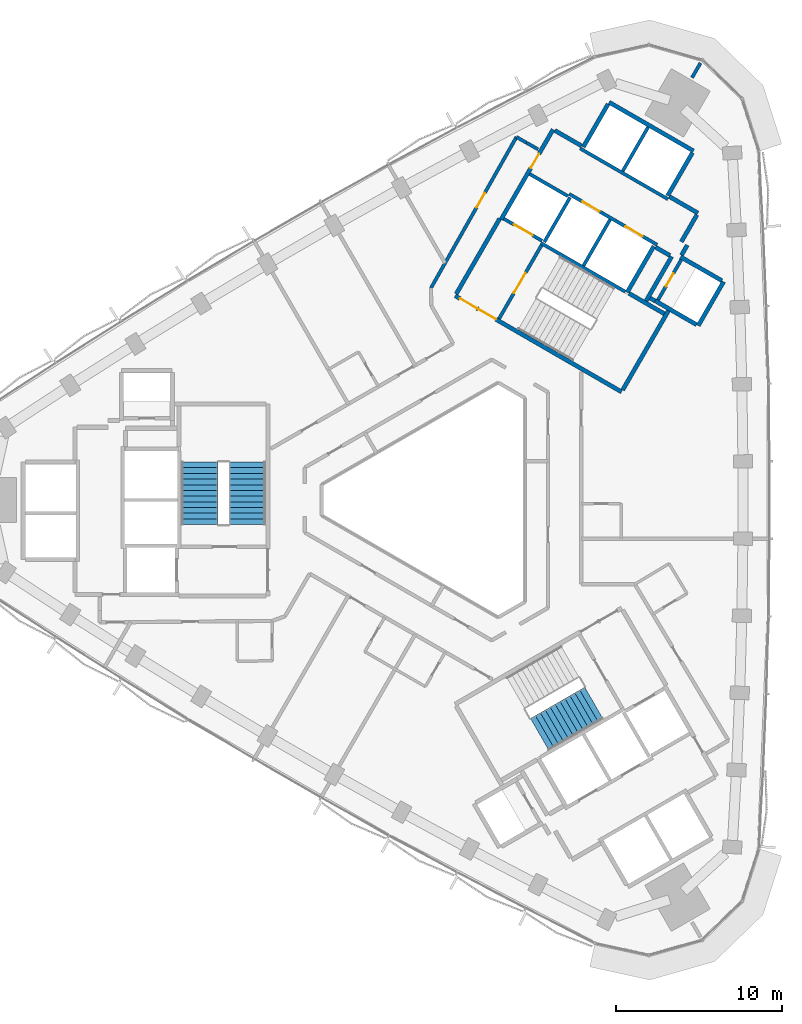
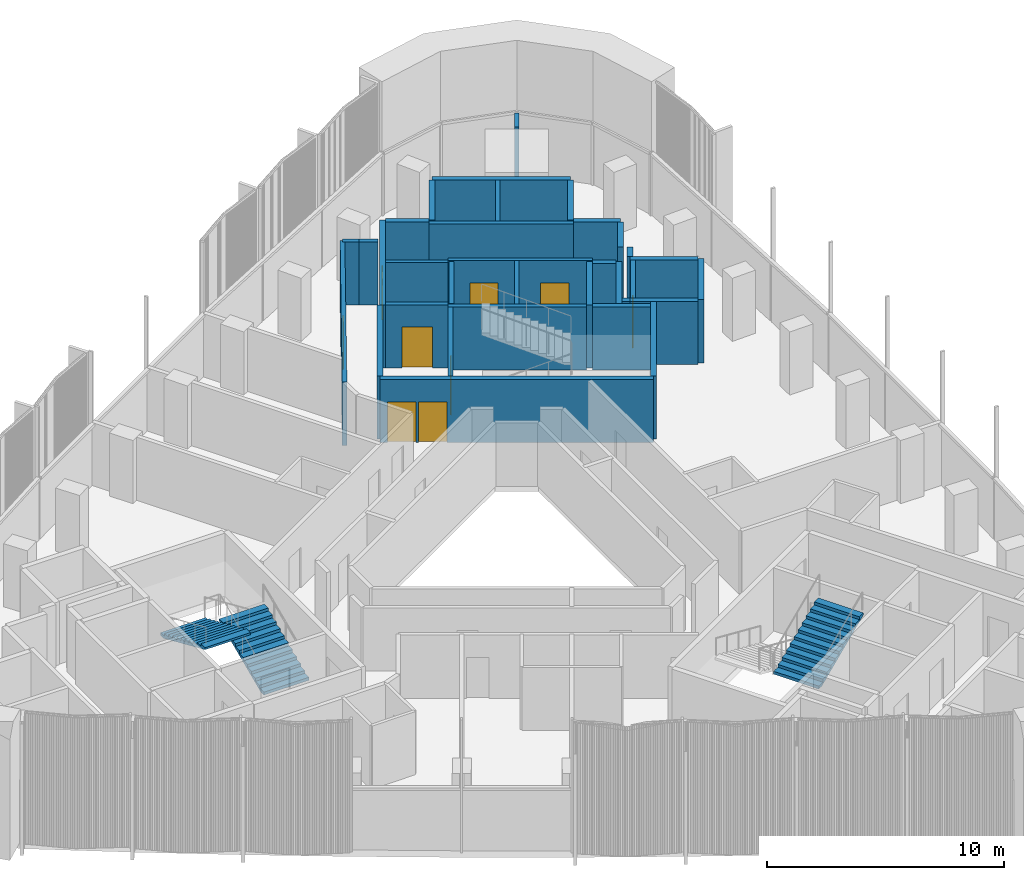
# One storey, part 10 of 14: 33 walls, 9 doors, 3 stair flights, 9 openings, 2 elements without a shape of their own.
"""IFC4 building model written with IfcOpenShell, lengths in metres."""

import ifcopenshell
import ifcopenshell.guid

model = None  # the IFC model being written
_history = None  # IfcOwnerHistory: only IFC2X3 demands one
_inside = {}  # id of a spatial element -> (the spatial element, [elements in it])
_under = {}  # id of a project, library or spatial element -> (it, [spatial elements below it])
_declared = {}  # id of a project -> (the project, [libraries it declares])
_typed = {}  # id of a type object -> (the type object, [elements of that type])
_made_of = {}  # id of a material, layer set ... -> (it, [elements and type objects made of it])


def new_model(schema):
    """Start an empty IFC model of exactly this schema.

    Asked for "IFC4X3", IfcOpenShell would pick the latest addendum, in which some entities
    have other attributes; the version numbers below select the first issue.
    IFC2X3 requires an IfcOwnerHistory on every rooted entity: one is made here for all.
    """
    global model, _history
    if schema == "IFC4X3":
        model = ifcopenshell.file(schema_version=(4, 3, 0, 0))
    else:
        model = ifcopenshell.file(schema=schema)
    _inside.clear()
    _under.clear()
    _declared.clear()
    _typed.clear()
    _made_of.clear()
    _history = None
    if model.schema == "IFC2X3":
        org = make("IfcOrganization", Name="unknown")
        user = make(
            "IfcPersonAndOrganization",
            ThePerson=make("IfcPerson", FamilyName="unknown"),
            TheOrganization=org,
        )
        app = make(
            "IfcApplication",
            ApplicationDeveloper=org,
            Version="unknown",
            ApplicationFullName="unknown",
            ApplicationIdentifier="unknown",
        )
        _history = make(
            "IfcOwnerHistory",
            OwningUser=user,
            OwningApplication=app,
            ChangeAction="ADDED",
            CreationDate=0,
        )
    return model


def make(cls, **values):
    """One entity of the class cls with the attributes given. An attribute that is None is left unset."""
    return model.create_entity(
        cls, **{name: value for name, value in values.items() if value is not None}
    )


def rooted(cls, **values):
    """An entity with a GlobalId (a new one), such as an element, a storey or a relation."""
    return make(cls, GlobalId=ifcopenshell.guid.new(), OwnerHistory=_history, **values)


def si_unit(unit_type, name, prefix=None):
    """IfcSIUnit, for example si_unit("LENGTHUNIT", "METRE", prefix="MILLI")."""
    return make("IfcSIUnit", UnitType=unit_type, Prefix=prefix, Name=name)


def assignment(units):
    """IfcUnitAssignment: the units of a project."""
    return None if units is None else make("IfcUnitAssignment", Units=units)


def point(xyz):
    """IfcCartesianPoint."""
    return None if xyz is None else make("IfcCartesianPoint", Coordinates=xyz)


def direction(xyz):
    """IfcDirection."""
    return None if xyz is None else make("IfcDirection", DirectionRatios=xyz)


def frame(location, z_axis=None, x_axis=None):
    """IfcAxis2Placement3D, a coordinate frame: its origin and axes. An axis left out is left unset."""
    return make(
        "IfcAxis2Placement3D",
        Location=point(location),
        Axis=direction(z_axis),
        RefDirection=direction(x_axis),
    )


def frame_2d(location, x_axis=None):
    """IfcAxis2Placement2D, a coordinate frame in the plane: its origin and x axis."""
    return make(
        "IfcAxis2Placement2D", Location=point(location), RefDirection=direction(x_axis)
    )


def origin():
    """The frame at (0, 0, 0) with its axes left unset."""
    return frame((0.0, 0.0, 0.0))


def place(relative_to, where):
    """IfcLocalPlacement: puts the frame where relative to a parent placement (None: the world)."""
    return make(
        "IfcLocalPlacement", PlacementRelTo=relative_to, RelativePlacement=where
    )


def context(
    kind, dimensions, precision=None, world=None, true_north=None, identifier=None
):
    """IfcGeometricRepresentationContext, for example the 3D "Model" context."""
    return make(
        "IfcGeometricRepresentationContext",
        ContextIdentifier=identifier,
        ContextType=kind,
        CoordinateSpaceDimension=dimensions,
        Precision=precision,
        WorldCoordinateSystem=world,
        TrueNorth=true_north,
    )


def subcontext(parent, identifier, kind, view, scale=None):
    """IfcGeometricRepresentationSubContext, for example "Body" below "Model"."""
    return make(
        "IfcGeometricRepresentationSubContext",
        ContextIdentifier=identifier,
        ContextType=kind,
        ParentContext=parent,
        TargetScale=scale,
        TargetView=view,
    )


def project(units=None, contexts=None):
    """IfcProject with its units and contexts."""
    return rooted(
        "IfcProject",
        Name="project",
        RepresentationContexts=contexts,
        UnitsInContext=assignment(units),
    )


def spatial(cls, under=None, at=None, **own):
    """A site, building, storey or space (cls), placed at a placement, below another one or the project."""
    s = rooted(cls, ObjectPlacement=at, **own)
    if under is not None:
        _under.setdefault(under.id(), (under, []))[1].append(s)
    return s


def polyline(points):
    """IfcPolyline through the points."""
    return make("IfcPolyline", Points=[point(p) for p in points])


def profile(cls, at=None, kind="AREA", **sizes):
    """A parametric profile (cls). Its sizes go by their IFC names, for example OverallWidth=200.0."""
    return make(cls, ProfileType=kind, Position=at, **sizes)


def rectangle(**sizes):
    """IfcRectangleProfileDef."""
    return profile("IfcRectangleProfileDef", **sizes)


def outline(outer, holes=None, kind="AREA"):
    """IfcArbitraryClosedProfileDef: a profile drawn as a closed curve; with holes, ...WithVoids."""
    if holes is None:
        return make("IfcArbitraryClosedProfileDef", ProfileType=kind, OuterCurve=outer)
    return make(
        "IfcArbitraryProfileDefWithVoids",
        ProfileType=kind,
        OuterCurve=outer,
        InnerCurves=holes,
    )


def extrude(swept, where, along, depth):
    """IfcExtrudedAreaSolid: the profile swept, set in the frame where, extruded along a direction by depth."""
    return make(
        "IfcExtrudedAreaSolid",
        SweptArea=swept,
        Position=where,
        ExtrudedDirection=direction(along),
        Depth=depth,
    )


def shape(context_of_items, identifier, shape_type, items):
    """IfcShapeRepresentation: the items that make up one representation, for example the "Body"."""
    return make(
        "IfcShapeRepresentation",
        ContextOfItems=context_of_items,
        RepresentationIdentifier=identifier,
        RepresentationType=shape_type,
        Items=items,
    )


def material(Name=None, Category=None):
    """IfcMaterial."""
    return make("IfcMaterial", Name=Name, Category=Category)


def layer(
    of_material, thickness, ventilated=None, Name=None, Category=None, Priority=None
):
    """IfcMaterialLayer: one layer of a wall or slab, of a material (None: an air gap)."""
    return make(
        "IfcMaterialLayer",
        Material=of_material,
        LayerThickness=thickness,
        IsVentilated=ventilated,
        Name=Name,
        Category=Category,
        Priority=Priority,
    )


def layer_set(layers, Name=None):
    """IfcMaterialLayerSet."""
    return make("IfcMaterialLayerSet", MaterialLayers=layers, LayerSetName=Name)


def made_of(thing, what):
    """Note that an element or type object is made of a material, layer set ...; save() writes the relation."""
    if what is not None:
        _made_of.setdefault(what.id(), (what, []))[1].append(thing)
    return thing


def type_object(cls, material=None, **own):
    """A type object (cls), such as IfcWallType, which elements share."""
    return made_of(rooted(cls, **own), material)


def element(
    cls,
    number,
    at=None,
    inside=None,
    cuts=None,
    type_object=None,
    material=None,
    context=None,
    identifier="Body",
    shape_type=None,
    held_by="IfcProductDefinitionShape",
    body=None,
    shapes=None,
    **own,
):
    """One element of the class cls, such as IfcWall. Its Tag is "e" and its number.

    at: its placement. inside: the storey or other place that contains it. cuts: it is an
    opening in that element (IfcRelVoidsElement). A single representation is given by context,
    identifier, shape_type and body (its items); several are given by shapes. held_by: the class
    of the entity that holds the representations. save() writes the other relations.
    """
    e = rooted(cls, Tag="e%d" % number, ObjectPlacement=at, **own)
    if body is not None:
        shapes = [shape(context, identifier, shape_type, body)]
    if shapes is not None:
        e.Representation = make(held_by, Representations=shapes)
    if inside is not None:
        _inside.setdefault(inside.id(), (inside, []))[1].append(e)
    if cuts is not None:
        rooted(
            "IfcRelVoidsElement", RelatingBuildingElement=cuts, RelatedOpeningElement=e
        )
    if type_object is not None:
        _typed.setdefault(type_object.id(), (type_object, []))[1].append(e)
    return made_of(e, material)


def fill(opening, filler):
    """IfcRelFillsElement: the door or window that sits in an opening."""
    return rooted(
        "IfcRelFillsElement",
        RelatingOpeningElement=opening,
        RelatedBuildingElement=filler,
    )


def aggregate(whole, parts):
    """IfcRelAggregates: a whole, such as a stair, and the parts it consists of."""
    return rooted("IfcRelAggregates", RelatingObject=whole, RelatedObjects=parts)


def save(model, path):
    """Write the relations noted so far, then the file.

    IfcRelAggregates (storeys below a building ...), IfcRelContainedInSpatialStructure (elements
    in a storey), IfcRelDefinesByType, IfcRelAssociatesMaterial and IfcRelDeclares: one each for
    every whole, place, type object, material and project.
    """
    for whole, parts in _under.values():
        aggregate(whole, parts)
    for where, things in _inside.values():
        rooted(
            "IfcRelContainedInSpatialStructure",
            RelatedElements=things,
            RelatingStructure=where,
        )
    for kind, things in _typed.values():
        rooted("IfcRelDefinesByType", RelatedObjects=things, RelatingType=kind)
    for what, things in _made_of.values():
        rooted("IfcRelAssociatesMaterial", RelatedObjects=things, RelatingMaterial=what)
    for by, libraries in _declared.values():
        rooted("IfcRelDeclares", RelatingContext=by, RelatedDefinitions=libraries)
    model.write(path)


model = new_model("IFC4")

# Units and contexts
model_context = context("Model", 3, precision=1e-05, world=origin(), true_north=direction((0.0, 1.0)))
body_context = subcontext(model_context, "Body", "Model", "MODEL_VIEW")
ifc_project = project(units=[si_unit("LENGTHUNIT", "METRE"), si_unit("AREAUNIT", "SQUARE_METRE"), si_unit("VOLUMEUNIT", "CUBIC_METRE"), si_unit("PLANEANGLEUNIT", "RADIAN"), si_unit("MASSUNIT", "GRAM", prefix="KILO")], contexts=[model_context])

# Site, building, storey
site_placement = place(None, origin())
site = spatial("IfcSite", under=ifc_project, at=site_placement, CompositionType="ELEMENT")
building_placement = place(site_placement, origin())
building = spatial("IfcBuilding", under=site, at=building_placement, Name="Tamra Quay Hotel Tower", CompositionType="ELEMENT")
storey_placement = place(building_placement, frame((0.0, 0.0, 175.60009765625)))
storey = spatial("IfcBuildingStorey", under=building, at=storey_placement, Name="L43", CompositionType="ELEMENT", Elevation=175.60009765625)

# Wall
ifc_material_1 = material(Name="Concrete M70", Category="concrete")
ifc_layer_1 = layer(ifc_material_1, 0.199951171875)
ifc_layer_set_1 = layer_set([ifc_layer_1], Name="Concrete M70 core wall 200")
wall_type_1 = type_object("IfcWallType", Name="Concrete M70 core wall 200", PredefinedType="SHEAR", material=ifc_layer_set_1)
wall_1_placement = place(storey_placement, frame((13.209716796875, 18.07958984375, 0.0), z_axis=(0.0, 0.0, 1.0), x_axis=(-0.866030299012, 0.499991521122, 0.0)))
element("IfcWall", 1, at=wall_1_placement, inside=storey, type_object=wall_type_1, Name="CW2", PredefinedType="SHEAR", context=body_context, shape_type="SweptSolid", body=[
    extrude(rectangle(XDim=6.10009765625, YDim=0.199951171875, at=frame_2d((3.050048828125, 0.0))), origin(), (0.0, 0.0, 1.0), 3.25),
])

# Wall, openings, doors
wall_2_placement = place(storey_placement, frame((12.552490234375, 15.341552734375, 0.0), z_axis=(0.0, 0.0, 1.0), x_axis=(-0.866030299012, 0.499991521122, 0.0)))
wall_2 = element("IfcWall", 2, at=wall_2_placement, inside=storey, type_object=wall_type_1, Name="CW2", PredefinedType="SHEAR", context=body_context, shape_type="SweptSolid", body=[
    extrude(rectangle(XDim=6.10009765625, YDim=0.199951171875, at=frame_2d((3.050048828125, 0.0))), origin(), (0.0, 0.0, 1.0), 3.25),
])
opening_1_placement = place(wall_2_placement, frame((1.0, 0.0, 0.0)))
opening_1 = element("IfcOpeningElement", 3, at=opening_1_placement, cuts=wall_2, Name="Opening LD", PredefinedType="OPENING", context=body_context, shape_type="SweptSolid", body=[
    extrude(rectangle(XDim=1.199951171875, YDim=2.10009765625, at=frame_2d((0.60009765625, 1.050048828125))), frame((0.0, 0.10986328125, 0.0), z_axis=(0.0, -1.0, 0.0), x_axis=(1.0, 0.0, 0.0)), (0.0, 0.0, 1.0), 0.219970703125),
])
opening_2_placement = place(wall_2_placement, frame((3.982177734375, 0.0, 0.0)))
opening_2 = element("IfcOpeningElement", 4, at=opening_2_placement, cuts=wall_2, Name="Opening LD", PredefinedType="OPENING", context=body_context, shape_type="SweptSolid", body=[
    extrude(rectangle(XDim=1.199951171875, YDim=2.10009765625, at=frame_2d((0.60009765625, 1.050048828125))), frame((0.0, 0.10986328125, 0.0), z_axis=(0.0, -1.0, 0.0), x_axis=(1.0, 0.0, 0.0)), (0.0, 0.0, 1.0), 0.219970703125),
])
ifc_material_2 = material(Name="Landing door LD 1200 double door sliding")
door_type_1 = type_object("IfcDoorType", Name="Landing door LD 1200 double door sliding", OperationType="DOUBLE_DOOR_SLIDING", PredefinedType="DOOR", material=ifc_material_2)
door_1_placement = place(opening_1_placement, origin())
door_1 = element("IfcDoor", 5, at=door_1_placement, inside=storey, type_object=door_type_1, Name="LD", OperationType="DOUBLE_DOOR_SLIDING", OverallHeight=2.10009765625, OverallWidth=1.199951171875, PredefinedType="DOOR", context=body_context, shape_type="SweptSolid", body=[
    extrude(rectangle(XDim=1.199951171875, YDim=2.10009765625, at=frame_2d((0.60009765625, 1.050048828125))), frame((0.0, 0.02490234375, 0.0), z_axis=(0.0, -1.0, 0.0), x_axis=(1.0, 0.0, 0.0)), (0.0, 0.0, 1.0), 0.050048828125),
])
fill(opening_1, door_1)
door_2_placement = place(opening_2_placement, origin())
door_2 = element("IfcDoor", 6, at=door_2_placement, inside=storey, type_object=door_type_1, Name="LD", OperationType="DOUBLE_DOOR_SLIDING", OverallHeight=2.10009765625, OverallWidth=1.199951171875, PredefinedType="DOOR", context=body_context, shape_type="SweptSolid", body=[
    extrude(rectangle(XDim=1.199951171875, YDim=2.10009765625, at=frame_2d((0.60009765625, 1.050048828125))), frame((0.0, 0.02490234375, 0.0), z_axis=(0.0, -1.0, 0.0), x_axis=(1.0, 0.0, 0.0)), (0.0, 0.0, 1.0), 0.050048828125),
])
fill(opening_2, door_2)

# Wall
wall_3_placement = place(storey_placement, frame((10.636474609375, 12.521484375, 0.0), z_axis=(0.0, 0.0, 1.0), x_axis=(-0.866013252188, 0.500021046592, 0.0)))
element("IfcWall", 7, at=wall_3_placement, inside=storey, type_object=wall_type_1, Name="CW2", PredefinedType="SHEAR", context=body_context, shape_type="SweptSolid", body=[
    extrude(rectangle(XDim=5.850830078125, YDim=0.199951171875, at=frame_2d((2.92529296875, 0.0))), origin(), (0.0, 0.0, 1.0), 3.25),
])

# Wall, opening, door
wall_4_placement = place(storey_placement, frame((3.056640625, 10.89453125, 0.0), z_axis=(0.0, 0.0, 1.0), x_axis=(0.500027839223, 0.866009330205, 0.0)))
wall_4 = element("IfcWall", 8, at=wall_4_placement, inside=storey, type_object=wall_type_1, Name="CW2", PredefinedType="SHEAR", context=body_context, shape_type="SweptSolid", body=[
    extrude(rectangle(XDim=5.097900390625, YDim=0.199951171875, at=frame_2d((2.548828125, 0.0))), origin(), (0.0, 0.0, 1.0), 3.25),
])
opening_3_placement = place(wall_4_placement, frame((1.77392578125, 0.0, 0.0)))
opening_3 = element("IfcOpeningElement", 9, at=opening_3_placement, cuts=wall_4, Name="Opening FD2", PredefinedType="OPENING", context=body_context, shape_type="SweptSolid", body=[
    extrude(rectangle(XDim=1.39990234375, YDim=2.10009765625, at=frame_2d((0.699951171875, 1.050048828125))), frame((0.0, 0.10986328125, 0.0), z_axis=(0.0, -1.0, 0.0), x_axis=(1.0, 0.0, 0.0)), (0.0, 0.0, 1.0), 0.219970703125),
])
ifc_material_3 = material(Name="Core door FD2 1400x2100 RH")
door_type_2 = type_object("IfcDoorType", Name="Core door FD2 1400x2100 RH", OperationType="NOTDEFINED", PredefinedType="DOOR", material=ifc_material_3)
door_3_placement = place(opening_3_placement, origin())
door_3 = element("IfcDoor", 10, at=door_3_placement, inside=storey, type_object=door_type_2, Name="FD2", OperationType="SINGLE_SWING_RIGHT", OverallHeight=2.10009765625, OverallWidth=1.39990234375, PredefinedType="DOOR", context=body_context, shape_type="SweptSolid", body=[
    extrude(rectangle(XDim=1.39990234375, YDim=2.10009765625, at=frame_2d((0.699951171875, 1.050048828125))), frame((0.0, 0.02490234375, 0.0), z_axis=(0.0, -1.0, 0.0), x_axis=(1.0, 0.0, 0.0)), (0.0, 0.0, 1.0), 0.050048828125),
])
fill(opening_3, door_3)

# Walls
wall_5_placement = place(storey_placement, frame((8.131591796875, 14.08447265625, 0.0), z_axis=(0.0, 0.0, 1.0), x_axis=(0.500030834389, 0.86600760081, 0.0)))
element("IfcWall", 11, at=wall_5_placement, inside=storey, type_object=wall_type_1, Name="CW2", PredefinedType="SHEAR", context=body_context, shape_type="SweptSolid", body=[
    extrude(rectangle(XDim=3.197998046875, YDim=0.199951171875, at=frame_2d((1.59912109375, 0.0))), origin(), (0.0, 0.0, 1.0), 3.25),
])
wall_6_placement = place(storey_placement, frame((10.48876953125, 19.76708984375, 0.0), z_axis=(0.0, 0.0, 1.0), x_axis=(0.499946628782, 0.866056215479, 0.0)))
element("IfcWall", 12, at=wall_6_placement, inside=storey, type_object=wall_type_1, Name="CW2", PredefinedType="SHEAR", context=body_context, shape_type="SweptSolid", body=[
    extrude(rectangle(XDim=3.048095703125, YDim=0.199951171875, at=frame_2d((1.52392578125, 0.0))), origin(), (0.0, 0.0, 1.0), 3.25),
])

# Wall, opening, door
wall_7_placement = place(storey_placement, frame((14.0078125, 14.442138671875, 0.0), z_axis=(0.0, 0.0, 1.0), x_axis=(-0.499986818241, -0.866033014143, 0.0)))
wall_7 = element("IfcWall", 13, at=wall_7_placement, inside=storey, type_object=wall_type_1, Name="CW2", PredefinedType="SHEAR", context=body_context, shape_type="SweptSolid", body=[
    extrude(rectangle(XDim=2.7978515625, YDim=0.199951171875, at=frame_2d((1.39892578125, 0.0))), origin(), (0.0, 0.0, 1.0), 3.25),
])
opening_4_placement = place(wall_7_placement, frame((0.948974609375, 0.0, 0.0)))
opening_4 = element("IfcOpeningElement", 14, at=opening_4_placement, cuts=wall_7, Name="Opening D1", PredefinedType="OPENING", context=body_context, shape_type="SweptSolid", body=[
    extrude(rectangle(XDim=0.89990234375, YDim=2.10009765625, at=frame_2d((0.449951171875, 1.050048828125))), frame((0.0, 0.10986328125, 0.0), z_axis=(0.0, -1.0, 0.0), x_axis=(1.0, 0.0, 0.0)), (0.0, 0.0, 1.0), 0.219970703125),
])
ifc_material_4 = material(Name="Core door D1 900x2100 LH")
door_type_3 = type_object("IfcDoorType", Name="Core door D1 900x2100 LH", OperationType="NOTDEFINED", PredefinedType="DOOR", material=ifc_material_4)
door_4_placement = place(opening_4_placement, origin())
door_4 = element("IfcDoor", 15, at=door_4_placement, inside=storey, type_object=door_type_3, Name="D1", OperationType="SINGLE_SWING_LEFT", OverallHeight=2.10009765625, OverallWidth=0.89990234375, PredefinedType="DOOR", context=body_context, shape_type="SweptSolid", body=[
    extrude(rectangle(XDim=0.89990234375, YDim=2.10009765625, at=frame_2d((0.449951171875, 1.050048828125))), frame((0.0, 0.02490234375, 0.0), z_axis=(0.0, -1.0, 0.0), x_axis=(1.0, 0.0, 0.0)), (0.0, 0.0, 1.0), 0.050048828125),
])
fill(opening_4, door_4)

# Wall
wall_8_placement = place(storey_placement, frame((7.324462890625, 18.1865234375, 0.0), z_axis=(0.0, 0.0, 1.0), x_axis=(-0.499967891604, -0.866043940782, 0.0)))
element("IfcWall", 16, at=wall_8_placement, inside=storey, type_object=wall_type_1, Name="CW2", PredefinedType="SHEAR", context=body_context, shape_type="SweptSolid", body=[
    extrude(rectangle(XDim=3.099853515625, YDim=0.199951171875, at=frame_2d((1.5498046875, 0.0))), origin(), (0.0, 0.0, 1.0), 3.25),
])

# Wall, opening, door
wall_9_placement = place(storey_placement, frame((5.646240234375, 15.575927734375, 0.0), z_axis=(0.0, 0.0, 1.0), x_axis=(-0.866018407898, 0.500012117035, 0.0)))
wall_9 = element("IfcWall", 17, at=wall_9_placement, inside=storey, type_object=wall_type_1, Name="CW2", PredefinedType="SHEAR", context=body_context, shape_type="SweptSolid", body=[
    extrude(rectangle(XDim=2.65087890625, YDim=0.199951171875, at=frame_2d((1.325439453125, 0.0))), origin(), (0.0, 0.0, 1.0), 3.25),
])
opening_5_placement = place(wall_9_placement, frame((0.65185546875, 0.0, 0.0)))
opening_5 = element("IfcOpeningElement", 18, at=opening_5_placement, cuts=wall_9, Name="Opening LD", PredefinedType="OPENING", context=body_context, shape_type="SweptSolid", body=[
    extrude(rectangle(XDim=1.300048828125, YDim=2.10009765625, at=frame_2d((0.64990234375, 1.050048828125))), frame((0.0, 0.10986328125, 0.0), z_axis=(0.0, -1.0, 0.0), x_axis=(1.0, 0.0, 0.0)), (0.0, 0.0, 1.0), 0.219970703125),
])
ifc_material_5 = material(Name="Landing door LD 1300 sliding to right")
door_type_4 = type_object("IfcDoorType", Name="Landing door LD 1300 sliding to right", OperationType="NOTDEFINED", PredefinedType="DOOR", material=ifc_material_5)
door_5_placement = place(opening_5_placement, origin())
door_5 = element("IfcDoor", 19, at=door_5_placement, inside=storey, type_object=door_type_4, Name="LD", OperationType="SLIDING_TO_RIGHT", OverallHeight=2.10009765625, OverallWidth=1.300048828125, PredefinedType="DOOR", context=body_context, shape_type="SweptSolid", body=[
    extrude(rectangle(XDim=1.300048828125, YDim=2.10009765625, at=frame_2d((0.64990234375, 1.050048828125))), frame((0.0, 0.02490234375, 0.0), z_axis=(0.0, -1.0, 0.0), x_axis=(1.0, 0.0, 0.0)), (0.0, 0.0, 1.0), 0.050048828125),
])
fill(opening_5, door_5)

# Wall
wall_10_placement = place(storey_placement, frame((7.1962890625, 18.260498046875, 0.0), z_axis=(0.0, 0.0, 1.0), x_axis=(-0.866018407898, 0.500012117035, 0.0)))
element("IfcWall", 20, at=wall_10_placement, inside=storey, type_object=wall_type_1, Name="CW2", PredefinedType="SHEAR", context=body_context, shape_type="SweptSolid", body=[
    extrude(rectangle(XDim=2.65087890625, YDim=0.199951171875, at=frame_2d((1.325439453125, 0.0))), origin(), (0.0, 0.0, 1.0), 3.25),
])

# Wall, openings, doors
ifc_layer_2 = layer(ifc_material_1, 0.25)
ifc_layer_set_2 = layer_set([ifc_layer_2], Name="Concrete M70 core wall 250")
wall_type_2 = type_object("IfcWallType", Name="Concrete M70 core wall 250", PredefinedType="SHEAR", material=ifc_layer_set_2)
wall_11_placement = place(storey_placement, frame((10.419921875, 6.497802734375, 0.0), z_axis=(0.0, 0.0, 1.0), x_axis=(-0.866021906294, 0.500006057782, 0.0)))
wall_11 = element("IfcWall", 21, at=wall_11_placement, inside=storey, type_object=wall_type_2, Name="CW1", PredefinedType="SHEAR", context=body_context, shape_type="SweptSolid", body=[
    extrude(rectangle(XDim=11.550048828125, YDim=0.25, at=frame_2d((5.77490234375, 0.0))), origin(), (0.0, 0.0, 1.0), 3.25),
])
opening_6_placement = place(wall_11_placement, frame((10.02490234375, 0.0, 0.0)))
opening_6 = element("IfcOpeningElement", 22, at=opening_6_placement, cuts=wall_11, Name="Opening FD1", PredefinedType="OPENING", context=body_context, shape_type="SweptSolid", body=[
    extrude(rectangle(XDim=1.199951171875, YDim=2.10009765625, at=frame_2d((0.60009765625, 1.050048828125))), frame((0.0, 0.135009765625, 0.0), z_axis=(0.0, -1.0, 0.0), x_axis=(1.0, 0.0, 0.0)), (0.0, 0.0, 1.0), 0.27001953125),
])
opening_7_placement = place(wall_11_placement, frame((8.724853515625, 0.0, 0.0)))
opening_7 = element("IfcOpeningElement", 23, at=opening_7_placement, cuts=wall_11, Name="Opening FD1", PredefinedType="OPENING", context=body_context, shape_type="SweptSolid", body=[
    extrude(rectangle(XDim=1.199951171875, YDim=2.10009765625, at=frame_2d((0.60009765625, 1.050048828125))), frame((0.0, 0.135009765625, 0.0), z_axis=(0.0, -1.0, 0.0), x_axis=(1.0, 0.0, 0.0)), (0.0, 0.0, 1.0), 0.27001953125),
])
ifc_material_6 = material(Name="Core door FD1 1200x2100 LH")
door_type_5 = type_object("IfcDoorType", Name="Core door FD1 1200x2100 LH", OperationType="NOTDEFINED", PredefinedType="DOOR", material=ifc_material_6)
door_6_placement = place(opening_6_placement, origin())
door_6 = element("IfcDoor", 24, at=door_6_placement, inside=storey, type_object=door_type_5, Name="FD1", OperationType="SINGLE_SWING_LEFT", OverallHeight=2.10009765625, OverallWidth=1.199951171875, PredefinedType="DOOR", context=body_context, shape_type="SweptSolid", body=[
    extrude(rectangle(XDim=1.199951171875, YDim=2.10009765625, at=frame_2d((0.60009765625, 1.050048828125))), frame((0.0, 0.02490234375, 0.0), z_axis=(0.0, -1.0, 0.0), x_axis=(1.0, 0.0, 0.0)), (0.0, 0.0, 1.0), 0.050048828125),
])
fill(opening_6, door_6)
ifc_material_7 = material(Name="Core door FD1 1200x2100 RH")
door_type_6 = type_object("IfcDoorType", Name="Core door FD1 1200x2100 RH", OperationType="NOTDEFINED", PredefinedType="DOOR", material=ifc_material_7)
door_7_placement = place(opening_7_placement, origin())
door_7 = element("IfcDoor", 25, at=door_7_placement, inside=storey, type_object=door_type_6, Name="FD1", OperationType="SINGLE_SWING_RIGHT", OverallHeight=2.10009765625, OverallWidth=1.199951171875, PredefinedType="DOOR", context=body_context, shape_type="SweptSolid", body=[
    extrude(rectangle(XDim=1.199951171875, YDim=2.10009765625, at=frame_2d((0.60009765625, 1.050048828125))), frame((0.0, 0.02490234375, 0.0), z_axis=(0.0, -1.0, 0.0), x_axis=(1.0, 0.0, 0.0)), (0.0, 0.0, 1.0), 0.050048828125),
])
fill(opening_7, door_7)

# Wall, opening, door
wall_12_placement = place(storey_placement, frame((3.178955078125, 16.856201171875, 0.0), z_axis=(0.0, 0.0, 1.0), x_axis=(0.500004234368, 0.866022959057, 0.0)))
wall_12 = element("IfcWall", 26, at=wall_12_placement, inside=storey, type_object=wall_type_2, Name="CW1", PredefinedType="SHEAR", context=body_context, shape_type="SweptSolid", body=[
    extrude(rectangle(XDim=6.25, YDim=0.25, at=frame_2d((3.125, 0.0))), origin(), (0.0, 0.0, 1.0), 3.25),
])
opening_8_placement = place(wall_12_placement, frame((3.562744140625, 0.0, 0.0)))
opening_8 = element("IfcOpeningElement", 27, at=opening_8_placement, cuts=wall_12, Name="Opening FD3", PredefinedType="OPENING", context=body_context, shape_type="SweptSolid", body=[
    extrude(rectangle(XDim=1.0, YDim=2.10009765625, at=frame_2d((0.5, 1.050048828125))), frame((0.0, 0.135009765625, 0.0), z_axis=(0.0, -1.0, 0.0), x_axis=(1.0, 0.0, 0.0)), (0.0, 0.0, 1.0), 0.27001953125),
])
ifc_material_8 = material(Name="Core door FD3 1000x2100 LH")
door_type_7 = type_object("IfcDoorType", Name="Core door FD3 1000x2100 LH", OperationType="NOTDEFINED", PredefinedType="DOOR", material=ifc_material_8)
door_8_placement = place(opening_8_placement, origin())
door_8 = element("IfcDoor", 28, at=door_8_placement, inside=storey, type_object=door_type_7, Name="FD3", OperationType="SINGLE_SWING_LEFT", OverallHeight=2.10009765625, OverallWidth=1.0, PredefinedType="DOOR", context=body_context, shape_type="SweptSolid", body=[
    extrude(rectangle(XDim=1.0, YDim=2.10009765625, at=frame_2d((0.5, 1.050048828125))), frame((0.0, 0.02490234375, 0.0), z_axis=(0.0, -1.0, 0.0), x_axis=(1.0, 0.0, 0.0)), (0.0, 0.0, 1.0), 0.050048828125),
])
fill(opening_8, door_8)

# Walls
wall_13_placement = place(storey_placement, frame((9.672607421875, 23.9033203125, 0.0), z_axis=(0.0, 0.0, 1.0), x_axis=(0.86603616409, -0.499981362141, 0.0)))
element("IfcWall", 29, at=wall_13_placement, inside=storey, type_object=wall_type_2, Name="CW1", PredefinedType="SHEAR", context=body_context, shape_type="SweptSolid", body=[
    extrude(rectangle(XDim=5.849853515625, YDim=0.25, at=frame_2d((2.9248046875, 0.0))), origin(), (0.0, 0.0, 1.0), 3.25),
])
wall_14_placement = place(storey_placement, frame((0.47998046875, 12.38134765625, 0.0), z_axis=(0.0, 0.0, 1.0), x_axis=(0.49999885962, 0.866026062182, 0.0)))
element("IfcWall", 30, at=wall_14_placement, inside=storey, type_object=wall_type_2, Name="CW1", PredefinedType="SHEAR", context=body_context, shape_type="SweptSolid", body=[
    extrude(rectangle(XDim=5.224609375, YDim=0.25, at=frame_2d((2.6123046875, 0.0))), origin(), (0.0, 0.0, 1.0), 3.25),
])
wall_15_placement = place(storey_placement, frame((13.237548828125, 11.3779296875, 0.0), z_axis=(0.0, 0.0, 1.0), x_axis=(-0.500008851346, -0.866020293397, 0.0)))
element("IfcWall", 31, at=wall_15_placement, inside=storey, type_object=wall_type_2, Name="CW1", PredefinedType="SHEAR", context=body_context, shape_type="SweptSolid", body=[
    extrude(rectangle(XDim=5.509765625, YDim=0.25, at=frame_2d((2.7548828125, 0.0))), origin(), (0.0, 0.0, 1.0), 3.25),
])
wall_16_placement = place(storey_placement, frame((12.356689453125, 15.25244140625, 0.0), z_axis=(0.0, 0.0, 1.0), x_axis=(-0.500028443584, -0.866008981251, 0.0)))
element("IfcWall", 32, at=wall_16_placement, inside=storey, type_object=wall_type_2, Name="CW1", PredefinedType="SHEAR", context=body_context, shape_type="SweptSolid", body=[
    extrude(rectangle(XDim=3.199951171875, YDim=0.25, at=frame_2d((1.60009765625, 0.0))), origin(), (0.0, 0.0, 1.0), 3.25),
])
for number, where, z_axis, x_axis, name in (
    (33, (8.12255859375, 21.21875, 0.0), (0.0, 0.0, 1.0), (0.499987686533, 0.866032512851, 0.0), "CW1"),
    (34, (14.67626953125, 20.869873046875, 0.0), (0.0, 0.0, 1.0), (-0.499987686533, -0.866032512851, 0.0), "CW1"),
):
    element("IfcWall", number, at=place(storey_placement, frame(where, z_axis=z_axis, x_axis=x_axis)), inside=storey, type_object=wall_type_2, Name=name, PredefinedType="SHEAR", context=body_context, shape_type="SweptSolid", body=[
        extrude(rectangle(XDim=2.974609375, YDim=0.25, at=frame_2d((1.4873046875, 0.0))), origin(), (0.0, 0.0, 1.0), 3.25),
    ])
wall_17_placement = place(storey_placement, frame((16.552001953125, 13.118896484375, 0.0), z_axis=(0.0, 0.0, 1.0), x_axis=(-0.499978833458, -0.866037623948, 0.0)))
element("IfcWall", 35, at=wall_17_placement, inside=storey, type_object=wall_type_2, Name="CW1", PredefinedType="SHEAR", context=body_context, shape_type="SweptSolid", body=[
    extrude(rectangle(XDim=3.050048828125, YDim=0.25, at=frame_2d((1.52490234375, 0.0))), origin(), (0.0, 0.0, 1.0), 3.25),
])
wall_18_placement = place(storey_placement, frame((14.91845703125, 10.540283203125, 0.0), z_axis=(0.0, 0.0, 1.0), x_axis=(-0.866063538972, 0.499933942099, 0.0)))
element("IfcWall", 36, at=wall_18_placement, inside=storey, type_object=wall_type_2, Name="CW1", PredefinedType="SHEAR", context=body_context, shape_type="SweptSolid", body=[
    extrude(rectangle(XDim=2.86474609375, YDim=0.25, at=frame_2d((1.432373046875, 0.0))), origin(), (0.0, 0.0, 1.0), 3.25),
])
wall_19_placement = place(storey_placement, frame((13.962646484375, 14.61376953125, 0.0), z_axis=(0.0, 0.0, 1.0), x_axis=(0.866042235819, -0.499970844928, 0.0)))
element("IfcWall", 37, at=wall_19_placement, inside=storey, type_object=wall_type_2, Name="CW1", PredefinedType="SHEAR", context=body_context, shape_type="SweptSolid", body=[
    extrude(rectangle(XDim=2.864501953125, YDim=0.25, at=frame_2d((1.43212890625, 0.0))), origin(), (0.0, 0.0, 1.0), 3.25),
])
wall_20_placement = place(storey_placement, frame((11.887939453125, 11.960693359375, 0.0), z_axis=(0.0, 0.0, 1.0), x_axis=(0.500003324108, 0.866023484601, 0.0)))
element("IfcWall", 38, at=wall_20_placement, inside=storey, type_object=wall_type_2, Name="CW1", PredefinedType="SHEAR", context=body_context, shape_type="SweptSolid", body=[
    extrude(rectangle(XDim=3.0849609375, YDim=0.25, at=frame_2d((1.54248046875, 0.0))), origin(), (0.0, 0.0, 1.0), 3.25),
])
wall_21_placement = place(storey_placement, frame((10.865234375, 12.41845703125, 0.0), z_axis=(0.0, 0.0, 1.0), x_axis=(0.866026229868, -0.499998569178, 0.0)))
element("IfcWall", 39, at=wall_21_placement, inside=storey, type_object=wall_type_2, Name="CW1", PredefinedType="SHEAR", context=body_context, shape_type="SweptSolid", body=[
    extrude(rectangle(XDim=2.44921875, YDim=0.25, at=frame_2d((1.224609375, 0.0))), origin(), (0.0, 0.0, 1.0), 3.25),
])
wall_22_placement = place(storey_placement, frame((13.29736328125, 18.23095703125, 0.0), z_axis=(0.0, 0.0, 1.0), x_axis=(0.866043531843, -0.499968599967, 0.0)))
element("IfcWall", 40, at=wall_22_placement, inside=storey, type_object=wall_type_2, Name="CW1", PredefinedType="SHEAR", context=body_context, shape_type="SweptSolid", body=[
    extrude(rectangle(XDim=1.974853515625, YDim=0.25, at=frame_2d((0.9873046875, 0.0))), origin(), (0.0, 0.0, 1.0), 3.25),
])
wall_23_placement = place(storey_placement, frame((6.41259765625, 22.2060546875, 0.0), z_axis=(0.0, 0.0, 1.0), x_axis=(0.866016279763, -0.500015802937, 0.0)))
element("IfcWall", 41, at=wall_23_placement, inside=storey, type_object=wall_type_2, Name="CW1", PredefinedType="SHEAR", context=body_context, shape_type="SweptSolid", body=[
    extrude(rectangle(XDim=1.84912109375, YDim=0.25, at=frame_2d((0.924560546875, 0.0))), origin(), (0.0, 0.0, 1.0), 3.25),
])
wall_24_placement = place(storey_placement, frame((14.94482421875, 17.13525390625, 0.0), z_axis=(0.0, 0.0, 1.0), x_axis=(-0.499983108224, -0.866035156036, 0.0)))
element("IfcWall", 42, at=wall_24_placement, inside=storey, type_object=wall_type_2, Name="CW1", PredefinedType="SHEAR", context=body_context, shape_type="SweptSolid", body=[
    extrude(rectangle(XDim=1.86474609375, YDim=0.25, at=frame_2d((0.932373046875, 0.0))), origin(), (0.0, 0.0, 1.0), 3.25),
])
wall_25_placement = place(storey_placement, frame((13.322021484375, 14.695068359375, 0.0), z_axis=(0.0, 0.0, 1.0), x_axis=(-0.866017078145, 0.500014420154, 0.0)))
element("IfcWall", 43, at=wall_25_placement, inside=storey, type_object=wall_type_2, Name="CW1", PredefinedType="SHEAR", context=body_context, shape_type="SweptSolid", body=[
    extrude(rectangle(XDim=0.9892578125, YDim=0.25, at=frame_2d((0.49462890625, 0.0))), origin(), (0.0, 0.0, 1.0), 3.25),
])
wall_26_placement = place(storey_placement, frame((14.36767578125, 15.3154296875, 0.0), z_axis=(0.0, 0.0, 1.0), x_axis=(-0.499897359611, -0.866084655132, 0.0)))
element("IfcWall", 44, at=wall_26_placement, inside=storey, type_object=wall_type_2, Name="CW1", PredefinedType="SHEAR", context=body_context, shape_type="SweptSolid", body=[
    extrude(rectangle(XDim=0.684814453125, YDim=0.25, at=frame_2d((0.34228515625, 0.0))), origin(), (0.0, 0.0, 1.0), 3.25),
])
wall_27_placement = place(storey_placement, frame((12.4326171875, 11.9638671875, 0.0), z_axis=(0.0, 0.0, 1.0), x_axis=(-0.866055875208, 0.499947218231, 0.0)))
element("IfcWall", 45, at=wall_27_placement, inside=storey, type_object=wall_type_2, Name="CW1", PredefinedType="SHEAR", context=body_context, shape_type="SweptSolid", body=[
    extrude(rectangle(XDim=0.3447265625, YDim=0.25, at=frame_2d((0.17236328125, 0.0))), origin(), (0.0, 0.0, 1.0), 3.25),
])

# Wall, opening, door
ifc_material_9 = material(Name="Partition corridor wall")
ifc_layer_3 = layer(ifc_material_9, 0.199951171875)
ifc_layer_set_3 = layer_set([ifc_layer_3], Name="Partition corridor wall")
wall_type_3 = type_object("IfcWallType", Name="Partition corridor wall", PredefinedType="PARTITIONING", material=ifc_layer_set_3)
wall_28_placement = place(storey_placement, frame((-1.035400390625, 12.74169921875, 0.0), z_axis=(0.0, 0.0, 1.0), x_axis=(0.49267817774, 0.870211591039, 0.0)))
wall_28 = element("IfcWall", 46, at=wall_28_placement, inside=storey, type_object=wall_type_3, Name="W-C", PredefinedType="PARTITIONING", context=body_context, shape_type="SweptSolid", body=[
    extrude(rectangle(XDim=10.427490234375, YDim=0.199951171875, at=frame_2d((5.2138671875, 0.0))), origin(), (0.0, 0.0, 1.0), 3.25),
])
opening_9_placement = place(wall_28_placement, frame((5.56787109375, 0.0, 0.0)))
opening_9 = element("IfcOpeningElement", 47, at=opening_9_placement, cuts=wall_28, Name="Opening L43-D005", PredefinedType="OPENING", context=body_context, shape_type="SweptSolid", body=[
    extrude(rectangle(XDim=1.0, YDim=2.10009765625, at=frame_2d((0.5, 1.050048828125))), frame((0.0, 0.10986328125, 0.0), z_axis=(0.0, -1.0, 0.0), x_axis=(1.0, 0.0, 0.0)), (0.0, 0.0, 1.0), 0.219970703125),
])
ifc_material_10 = material(Name="Door guest room 1000x2100")
door_type_8 = type_object("IfcDoorType", Name="Door guest room 1000x2100", OperationType="NOTDEFINED", PredefinedType="DOOR", material=ifc_material_10)
door_9_placement = place(opening_9_placement, origin())
door_9 = element("IfcDoor", 48, at=door_9_placement, inside=storey, type_object=door_type_8, Name="L43-D005", OperationType="SINGLE_SWING_LEFT", OverallHeight=2.10009765625, OverallWidth=1.0, PredefinedType="DOOR", context=body_context, shape_type="SweptSolid", body=[
    extrude(rectangle(XDim=1.0, YDim=2.10009765625, at=frame_2d((0.5, 1.050048828125))), frame((0.0, 0.02490234375, 0.0), z_axis=(0.0, -1.0, 0.0), x_axis=(1.0, 0.0, 0.0)), (0.0, 0.0, 1.0), 0.050048828125),
])
fill(opening_9, door_9)

# Walls
wall_29_placement = place(storey_placement, frame((4.10205078125, 21.81591796875, 0.0), z_axis=(0.0, 0.0, 1.0), x_axis=(0.868007826562, -0.496550514074, 0.0)))
element("IfcWall", 49, at=wall_29_placement, inside=storey, type_object=wall_type_3, Name="W-C", PredefinedType="PARTITIONING", context=body_context, shape_type="SweptSolid", body=[
    extrude(rectangle(XDim=0.70263671875, YDim=0.199951171875, at=frame_2d((0.351318359375, 0.0))), origin(), (0.0, 0.0, 1.0), 3.25),
])
wall_30_placement = place(storey_placement, frame((4.716064453125, 21.468017578125, 0.0), z_axis=(0.0, 0.0, 1.0), x_axis=(0.865912682783, -0.500195187698, 0.0)))
element("IfcWall", 50, at=wall_30_placement, inside=storey, type_object=wall_type_3, Name="W-C", PredefinedType="PARTITIONING", context=body_context, shape_type="SweptSolid", body=[
    extrude(rectangle(XDim=0.789794921875, YDim=0.199951171875, at=frame_2d((0.39501953125, 0.0))), origin(), (0.0, 0.0, 1.0), 3.25),
])
ifc_material_11 = material(Name="Partition party wall")
ifc_layer_4 = layer(ifc_material_11, 0.199951171875)
ifc_layer_set_4 = layer_set([ifc_layer_4], Name="Partition party wall")
wall_type_4 = type_object("IfcWallType", Name="Partition party wall", PredefinedType="PARTITIONING", material=ifc_layer_set_4)
wall_31_placement = place(storey_placement, frame((14.655029296875, 25.382080078125, 0.0), z_axis=(0.0, 0.0, 1.0), x_axis=(0.498416889665, 0.866937485691, 0.0)))
element("IfcWall", 51, at=wall_31_placement, inside=storey, type_object=wall_type_4, Name="W-P", PredefinedType="PARTITIONING", context=body_context, shape_type="SweptSolid", body=[
    extrude(rectangle(XDim=1.014892578125, YDim=0.199951171875, at=frame_2d((0.50732421875, 0.0))), origin(), (0.0, 0.0, 1.0), 3.25),
])

# Stair, stair flights
ifc_material_12 = material(Name="Exit stair 2200 24 risers 150.0 going 342")
stair_type = type_object("IfcStairType", Name="Exit stair 2200 24 risers 150.0 going 342", PredefinedType="HALF_TURN_STAIR", material=ifc_material_12)
stair_1_placement = place(storey_placement, origin())
stair_1 = element("IfcStair", 52, at=stair_1_placement, inside=storey, type_object=stair_type, Name="L43 Exit stair ST3", PredefinedType="HALF_TURN_STAIR")
ifc_material_13 = material(Name="Exit stair flight 2200 12 risers 150.0")
stair_flight_type = type_object("IfcStairFlightType", Name="Exit stair flight 2200 12 risers 150.0", PredefinedType="STRAIGHT", material=ifc_material_13)
stair_flight_1_placement = place(storey_placement, frame((-12.082275390625, -1.47998046875, 0.0), z_axis=(0.0, 0.0, 1.0), x_axis=(0.0, 1.0, 0.0)))
stair_flight_1 = element("IfcStairFlight", 53, at=stair_flight_1_placement, type_object=stair_flight_type, Name="ST3 flight 1", NumberOfRisers=12, NumberOfTreads=11, PredefinedType="STRAIGHT", RiserHeight=0.15, TreadLength=0.342, context=body_context, shape_type="SweptSolid", body=[
    extrude(outline(polyline([(0.0, 0.0), (0.0, 0.14990234375), (0.342041015625, 0.14990234375), (0.342041015625, 0.300048828125), (0.68408203125, 0.300048828125), (0.68408203125, 0.449951171875), (1.02587890625, 0.449951171875), (1.02587890625, 0.60009765625), (1.367919921875, 0.60009765625), (1.367919921875, 0.75), (1.7099609375, 0.75), (1.7099609375, 0.89990234375), (2.052001953125, 0.89990234375), (2.052001953125, 1.050048828125), (2.39404296875, 1.050048828125), (2.39404296875, 1.199951171875), (2.736083984375, 1.199951171875), (2.736083984375, 1.35009765625), (3.077880859375, 1.35009765625), (3.077880859375, 1.5), (3.419921875, 1.5), (3.419921875, 1.64990234375), (3.761962890625, 1.64990234375), (3.761962890625, 1.800048828125), (3.761962890625, 1.540771484375), (0.249267578125, 0.0), (0.0, 0.0)])), frame((0.0, 1.10009765625, 0.0), z_axis=(0.0, -1.0, 0.0), x_axis=(1.0, 0.0, 0.0)), (0.0, 0.0, 1.0), 2.199951171875),
])
stair_flight_2_placement = place(storey_placement, frame((-14.94140625, 2.281982421875, 1.7998046875), z_axis=(0.0, 0.0, 1.0), x_axis=(0.0, -1.0, 0.0)))
stair_flight_2 = element("IfcStairFlight", 54, at=stair_flight_2_placement, type_object=stair_flight_type, Name="ST3 flight 2", NumberOfRisers=12, NumberOfTreads=11, PredefinedType="STRAIGHT", RiserHeight=0.15, TreadLength=0.342, context=body_context, shape_type="SweptSolid", body=[
    extrude(outline(polyline([(0.0, 0.0), (0.0, 0.14990234375), (0.342041015625, 0.14990234375), (0.342041015625, 0.300048828125), (0.68408203125, 0.300048828125), (0.68408203125, 0.449951171875), (1.02587890625, 0.449951171875), (1.02587890625, 0.60009765625), (1.367919921875, 0.60009765625), (1.367919921875, 0.75), (1.7099609375, 0.75), (1.7099609375, 0.89990234375), (2.052001953125, 0.89990234375), (2.052001953125, 1.050048828125), (2.39404296875, 1.050048828125), (2.39404296875, 1.199951171875), (2.736083984375, 1.199951171875), (2.736083984375, 1.35009765625), (3.077880859375, 1.35009765625), (3.077880859375, 1.5), (3.419921875, 1.5), (3.419921875, 1.64990234375), (3.761962890625, 1.64990234375), (3.761962890625, 1.800048828125), (3.761962890625, 1.540771484375), (0.249267578125, 0.0), (0.0, 0.0)])), frame((0.0, 1.10009765625, 0.0), z_axis=(0.0, -1.0, 0.0), x_axis=(1.0, 0.0, 0.0)), (0.0, 0.0, 1.0), 2.199951171875),
])
aggregate(stair_1, [stair_flight_1, stair_flight_2])

# Stair, stair flight
stair_2_placement = place(storey_placement, origin())
stair_2 = element("IfcStair", 55, at=stair_2_placement, inside=storey, type_object=stair_type, Name="L43 Exit stair ST2", PredefinedType="HALF_TURN_STAIR")
stair_flight_3_placement = place(storey_placement, frame((5.494384765625, -14.08056640625, 1.7998046875), z_axis=(0.0, 0.0, 1.0), x_axis=(0.866025403784, 0.5, 0.0)))
stair_flight_3 = element("IfcStairFlight", 56, at=stair_flight_3_placement, type_object=stair_flight_type, Name="ST2 flight 2", NumberOfRisers=12, NumberOfTreads=11, PredefinedType="STRAIGHT", RiserHeight=0.15, TreadLength=0.342, context=body_context, shape_type="SweptSolid", body=[
    extrude(outline(polyline([(0.0, 0.0), (0.0, 0.14990234375), (0.342041015625, 0.14990234375), (0.342041015625, 0.300048828125), (0.68408203125, 0.300048828125), (0.68408203125, 0.449951171875), (1.02587890625, 0.449951171875), (1.02587890625, 0.60009765625), (1.367919921875, 0.60009765625), (1.367919921875, 0.75), (1.7099609375, 0.75), (1.7099609375, 0.89990234375), (2.052001953125, 0.89990234375), (2.052001953125, 1.050048828125), (2.39404296875, 1.050048828125), (2.39404296875, 1.199951171875), (2.736083984375, 1.199951171875), (2.736083984375, 1.35009765625), (3.077880859375, 1.35009765625), (3.077880859375, 1.5), (3.419921875, 1.5), (3.419921875, 1.64990234375), (3.761962890625, 1.64990234375), (3.761962890625, 1.800048828125), (3.761962890625, 1.540771484375), (0.249267578125, 0.0), (0.0, 0.0)])), frame((0.0, 1.10009765625, 0.0), z_axis=(0.0, -1.0, 0.0), x_axis=(1.0, 0.0, 0.0)), (0.0, 0.0, 1.0), 2.199951171875),
])
aggregate(stair_2, [stair_flight_3])

save(model, "model.ifc")
